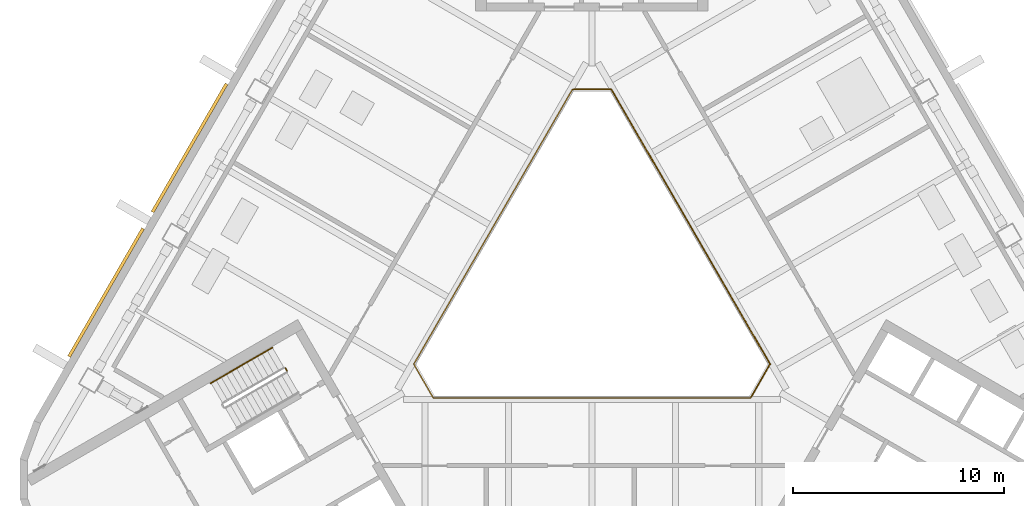
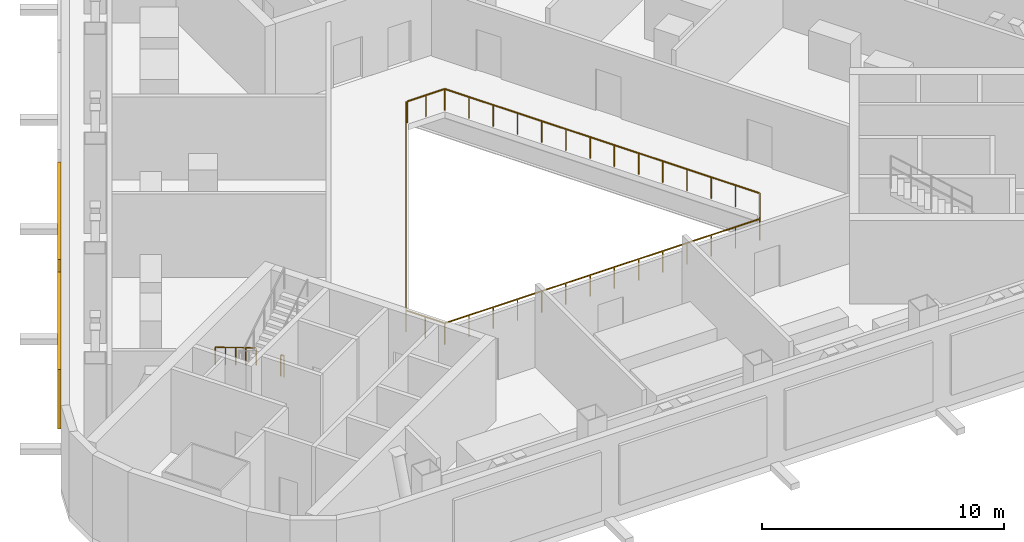
# One storey, part 12 of 15: 4 railings, 2 shading devices.
"""IFC4 building model written with IfcOpenShell, lengths in metres."""

from ifc_helpers import new_model, si_unit, direction, frame, origin, origin_2d, place, context, subcontext, project, spatial, rectangle, circle, extrude, material, type_object, element, save


model = new_model("IFC4")

# Units and contexts
model_context = context("Model", 3, precision=1e-05, world=origin(), true_north=direction((0.0, 1.0)))
body_context = subcontext(model_context, "Body", "Model", "MODEL_VIEW")
ifc_project = project(units=[si_unit("LENGTHUNIT", "METRE"), si_unit("AREAUNIT", "SQUARE_METRE"), si_unit("VOLUMEUNIT", "CUBIC_METRE"), si_unit("PLANEANGLEUNIT", "RADIAN"), si_unit("MASSUNIT", "GRAM", prefix="KILO")], contexts=[model_context])

# Site, building, storey
site_placement = place(None, origin())
site = spatial("IfcSite", under=ifc_project, at=site_placement, CompositionType="ELEMENT")
building_placement = place(site_placement, origin())
building = spatial("IfcBuilding", under=site, at=building_placement, Name="Apuvela Tower Hotel", CompositionType="ELEMENT")
storey_placement = place(building_placement, frame((0.0, 0.0, 137.60009765625)))
storey = spatial("IfcBuildingStorey", under=building, at=storey_placement, Name="L32 Plant", CompositionType="ELEMENT", Elevation=137.60009765625)

# Railings
ifc_material_1 = material(Name="Steel S275 balustrade", Category="steel")
railing_type_1 = type_object("IfcRailingType", Name="COR-GUARD-1100", PredefinedType="GUARDRAIL", material=ifc_material_1)
railing_1_placement = place(storey_placement, frame((-14.500732421875, -3.984130859375, 0.0)))
element("IfcRailing", 1, at=railing_1_placement, inside=storey, type_object=railing_type_1, Name="L32 Plant ST2 stair guard 4", PredefinedType="GUARDRAIL", context=body_context, shape_type="SweptSolid", body=[
    extrude(rectangle(XDim=0.048095703125, YDim=0.048095703125, at=origin_2d()), frame((0.0, 0.0, 1.076171875), z_axis=(0.499816412211, -0.866131372301, 0.0), x_axis=(0.866131372301, 0.499816412211, 0.0)), (0.0, 0.0, 1.0), 0.14990234375),
    extrude(rectangle(XDim=0.0419921875, YDim=0.0419921875, at=origin_2d()), origin(), (0.0, 0.0, 1.0), 1.052001953125),
    extrude(rectangle(XDim=0.0419921875, YDim=0.0419921875, at=origin_2d()), frame((0.074951171875, -0.1298828125, 0.0)), (0.0, 0.0, 1.0), 1.052001953125),
])
ifc_material_2 = material(Name="Stainless steel 316 handrail", Category="steel")
railing_type_2 = type_object("IfcRailingType", Name="COR-HANDRAIL-900", PredefinedType="HANDRAIL", material=ifc_material_2)
railing_2_placement = place(storey_placement, frame((-15.118896484375, -3.01318359375, 0.173095703125)))
element("IfcRailing", 2, at=railing_2_placement, inside=storey, type_object=railing_type_2, Name="L32 Plant ST2 stair handrail 1", PredefinedType="HANDRAIL", context=body_context, shape_type="SweptSolid", body=[
    extrude(circle(Radius=0.02392578125, at=origin_2d()), frame((0.0, 0.0, 0.8759765625), z_axis=(-0.736667954249, -0.425288379326, 0.525785240943), x_axis=(0.499976138585, -0.866039179741, 0.0)), (0.0, 0.0, 1.0), 3.9501953125),
    extrude(rectangle(XDim=0.0419921875, YDim=0.0419921875, at=origin_2d()), origin(), (0.0, 0.0, 1.0), 0.851806640625),
    extrude(rectangle(XDim=0.0419921875, YDim=0.0419921875, at=origin_2d()), frame((-0.7275390625, -0.419921875, 0.519287109375)), (0.0, 0.0, 1.0), 0.851806640625),
    extrude(rectangle(XDim=0.0419921875, YDim=0.0419921875, at=origin_2d()), frame((-1.455078125, -0.83984375, 1.03857421875)), (0.0, 0.0, 1.0), 0.851806640625),
    extrude(rectangle(XDim=0.0419921875, YDim=0.0419921875, at=origin_2d()), frame((-2.182373046875, -1.260009765625, 1.5576171875)), (0.0, 0.0, 1.0), 0.851806640625),
    extrude(rectangle(XDim=0.0419921875, YDim=0.0419921875, at=origin_2d()), frame((-2.909912109375, -1.679931640625, 2.076904296875)), (0.0, 0.0, 1.0), 0.851806640625),
])
ifc_material_3 = material(Name="Stainless steel 316 rail with laminated glass infill", Category="steel")
railing_type_3 = type_object("IfcRailingType", Name="ENV-GUARD-1100", PredefinedType="GUARDRAIL", material=ifc_material_3)
railing_3_placement = place(storey_placement, frame((-0.923828125, 9.199951171875, 0.0)))
element("IfcRailing", 3, at=railing_3_placement, inside=storey, type_object=railing_type_3, Name="Atrium void guard A L32 Plant", PredefinedType="GUARDRAIL", context=body_context, shape_type="SweptSolid", body=[
    extrude(rectangle(XDim=0.050048828125, YDim=0.050048828125, at=origin_2d()), frame((0.0, 0.0, 1.0751953125), z_axis=(-0.499990886379, -0.866030665472, 0.0), x_axis=(0.866030665472, -0.499990886379, 0.0)), (0.0, 0.0, 1.0), 15.010986328125),
    extrude(rectangle(XDim=0.050048828125, YDim=0.050048828125, at=origin_2d()), frame((-7.50537109375, -13.0, 1.0751953125), z_axis=(0.499962699187, -0.866046938348, 0.0), x_axis=(0.866046938348, 0.499962699187, 0.0)), (0.0, 0.0, 1.0), 1.847412109375),
    extrude(rectangle(XDim=0.050048828125, YDim=0.050048828125, at=origin_2d()), frame((-6.581787109375, -14.599853515625, 1.0751953125), z_axis=(1.0, 0.0, 0.0), x_axis=(0.0, 1.0, 0.0)), (0.0, 0.0, 1.0), 15.01123046875),
    extrude(rectangle(XDim=0.0400390625, YDim=0.0400390625, at=origin_2d()), origin(), (0.0, 0.0, 1.0), 1.050048828125),
    extrude(rectangle(XDim=0.0400390625, YDim=0.0400390625, at=origin_2d()), frame((-0.577392578125, -1.0, 0.0)), (0.0, 0.0, 1.0), 1.050048828125),
    extrude(rectangle(XDim=0.0400390625, YDim=0.0400390625, at=origin_2d()), frame((-1.15478515625, -2.0, 0.0)), (0.0, 0.0, 1.0), 1.050048828125),
    extrude(rectangle(XDim=0.0400390625, YDim=0.0400390625, at=origin_2d()), frame((-1.73193359375, -3.0, 0.0)), (0.0, 0.0, 1.0), 1.050048828125),
    extrude(rectangle(XDim=0.0400390625, YDim=0.0400390625, at=origin_2d()), frame((-2.309326171875, -4.0, 0.0)), (0.0, 0.0, 1.0), 1.050048828125),
    extrude(rectangle(XDim=0.0400390625, YDim=0.0400390625, at=origin_2d()), frame((-2.88671875, -5.0, 0.0)), (0.0, 0.0, 1.0), 1.050048828125),
    extrude(rectangle(XDim=0.0400390625, YDim=0.0400390625, at=origin_2d()), frame((-3.464111328125, -6.0, 0.0)), (0.0, 0.0, 1.0), 1.050048828125),
    extrude(rectangle(XDim=0.0400390625, YDim=0.0400390625, at=origin_2d()), frame((-4.041259765625, -7.0, 0.0)), (0.0, 0.0, 1.0), 1.050048828125),
    extrude(rectangle(XDim=0.0400390625, YDim=0.0400390625, at=origin_2d()), frame((-4.61865234375, -8.0, 0.0)), (0.0, 0.0, 1.0), 1.050048828125),
    extrude(rectangle(XDim=0.0400390625, YDim=0.0400390625, at=origin_2d()), frame((-5.196044921875, -9.0, 0.0)), (0.0, 0.0, 1.0), 1.050048828125),
    extrude(rectangle(XDim=0.0400390625, YDim=0.0400390625, at=origin_2d()), frame((-5.7734375, -10.0, 0.0)), (0.0, 0.0, 1.0), 1.050048828125),
    extrude(rectangle(XDim=0.0400390625, YDim=0.0400390625, at=origin_2d()), frame((-6.3505859375, -11.0, 0.0)), (0.0, 0.0, 1.0), 1.050048828125),
    extrude(rectangle(XDim=0.0400390625, YDim=0.0400390625, at=origin_2d()), frame((-6.927978515625, -12.0, 0.0)), (0.0, 0.0, 1.0), 1.050048828125),
    extrude(rectangle(XDim=0.0400390625, YDim=0.0400390625, at=origin_2d()), frame((-7.50537109375, -13.0, 0.0)), (0.0, 0.0, 1.0), 1.050048828125),
    extrude(rectangle(XDim=0.0400390625, YDim=0.0400390625, at=origin_2d()), frame((-7.04345703125, -13.7998046875, 0.0)), (0.0, 0.0, 1.0), 1.050048828125),
    extrude(rectangle(XDim=0.0400390625, YDim=0.0400390625, at=origin_2d()), frame((-6.581787109375, -14.599853515625, 0.0)), (0.0, 0.0, 1.0), 1.050048828125),
    extrude(rectangle(XDim=0.0400390625, YDim=0.0400390625, at=origin_2d()), frame((-5.427001953125, -14.599853515625, 0.0)), (0.0, 0.0, 1.0), 1.050048828125),
    extrude(rectangle(XDim=0.0400390625, YDim=0.0400390625, at=origin_2d()), frame((-4.2724609375, -14.599853515625, 0.0)), (0.0, 0.0, 1.0), 1.050048828125),
    extrude(rectangle(XDim=0.0400390625, YDim=0.0400390625, at=origin_2d()), frame((-3.11767578125, -14.599853515625, 0.0)), (0.0, 0.0, 1.0), 1.050048828125),
    extrude(rectangle(XDim=0.0400390625, YDim=0.0400390625, at=origin_2d()), frame((-1.962890625, -14.599853515625, 0.0)), (0.0, 0.0, 1.0), 1.050048828125),
    extrude(rectangle(XDim=0.0400390625, YDim=0.0400390625, at=origin_2d()), frame((-0.808349609375, -14.599853515625, 0.0)), (0.0, 0.0, 1.0), 1.050048828125),
    extrude(rectangle(XDim=0.0400390625, YDim=0.0400390625, at=origin_2d()), frame((0.346435546875, -14.599853515625, 0.0)), (0.0, 0.0, 1.0), 1.050048828125),
    extrude(rectangle(XDim=0.0400390625, YDim=0.0400390625, at=origin_2d()), frame((1.501220703125, -14.599853515625, 0.0)), (0.0, 0.0, 1.0), 1.050048828125),
    extrude(rectangle(XDim=0.0400390625, YDim=0.0400390625, at=origin_2d()), frame((2.656005859375, -14.599853515625, 0.0)), (0.0, 0.0, 1.0), 1.050048828125),
    extrude(rectangle(XDim=0.0400390625, YDim=0.0400390625, at=origin_2d()), frame((3.810546875, -14.599853515625, 0.0)), (0.0, 0.0, 1.0), 1.050048828125),
    extrude(rectangle(XDim=0.0400390625, YDim=0.0400390625, at=origin_2d()), frame((4.96533203125, -14.599853515625, 0.0)), (0.0, 0.0, 1.0), 1.050048828125),
    extrude(rectangle(XDim=0.0400390625, YDim=0.0400390625, at=origin_2d()), frame((6.1201171875, -14.599853515625, 0.0)), (0.0, 0.0, 1.0), 1.050048828125),
    extrude(rectangle(XDim=0.0400390625, YDim=0.0400390625, at=origin_2d()), frame((7.274658203125, -14.599853515625, 0.0)), (0.0, 0.0, 1.0), 1.050048828125),
    extrude(rectangle(XDim=0.0400390625, YDim=0.0400390625, at=origin_2d()), frame((8.429443359375, -14.599853515625, 0.0)), (0.0, 0.0, 1.0), 1.050048828125),
])
railing_4_placement = place(storey_placement, frame((7.53564453125, -5.347900390625, 0.0)))
element("IfcRailing", 4, at=railing_4_placement, inside=storey, type_object=railing_type_3, Name="Atrium void guard B L32 Plant", PredefinedType="GUARDRAIL", context=body_context, shape_type="SweptSolid", body=[
    extrude(rectangle(XDim=0.050048828125, YDim=0.050048828125, at=origin_2d()), frame((0.0, 0.0, 1.0751953125), z_axis=(0.499958946799, 0.866049104564, 0.0), x_axis=(-0.866049104564, 0.499958946799, 0.0)), (0.0, 0.0, 1.0), 1.787353515625),
    extrude(rectangle(XDim=0.050048828125, YDim=0.050048828125, at=origin_2d()), frame((0.8935546875, 1.5478515625, 1.0751953125), z_axis=(-0.499990886379, 0.866030665472, 0.0), x_axis=(-0.866030665472, -0.499990886379, 0.0)), (0.0, 0.0, 1.0), 15.010986328125),
    extrude(rectangle(XDim=0.050048828125, YDim=0.050048828125, at=origin_2d()), frame((-6.61181640625, 14.5478515625, 1.0751953125), z_axis=(-1.0, 0.0, 0.0), x_axis=(0.0, -1.0, 0.0)), (0.0, 0.0, 1.0), 1.78759765625),
    extrude(rectangle(XDim=0.0400390625, YDim=0.0400390625, at=origin_2d()), origin(), (0.0, 0.0, 1.0), 1.050048828125),
    extrude(rectangle(XDim=0.0400390625, YDim=0.0400390625, at=origin_2d()), frame((0.44677734375, 0.77392578125, 0.0)), (0.0, 0.0, 1.0), 1.050048828125),
    extrude(rectangle(XDim=0.0400390625, YDim=0.0400390625, at=origin_2d()), frame((0.8935546875, 1.5478515625, 0.0)), (0.0, 0.0, 1.0), 1.050048828125),
    extrude(rectangle(XDim=0.0400390625, YDim=0.0400390625, at=origin_2d()), frame((0.316162109375, 2.5478515625, 0.0)), (0.0, 0.0, 1.0), 1.050048828125),
    extrude(rectangle(XDim=0.0400390625, YDim=0.0400390625, at=origin_2d()), frame((-0.26123046875, 3.5478515625, 0.0)), (0.0, 0.0, 1.0), 1.050048828125),
    extrude(rectangle(XDim=0.0400390625, YDim=0.0400390625, at=origin_2d()), frame((-0.83837890625, 4.5478515625, 0.0)), (0.0, 0.0, 1.0), 1.050048828125),
    extrude(rectangle(XDim=0.0400390625, YDim=0.0400390625, at=origin_2d()), frame((-1.415771484375, 5.5478515625, 0.0)), (0.0, 0.0, 1.0), 1.050048828125),
    extrude(rectangle(XDim=0.0400390625, YDim=0.0400390625, at=origin_2d()), frame((-1.9931640625, 6.5478515625, 0.0)), (0.0, 0.0, 1.0), 1.050048828125),
    extrude(rectangle(XDim=0.0400390625, YDim=0.0400390625, at=origin_2d()), frame((-2.570556640625, 7.5478515625, 0.0)), (0.0, 0.0, 1.0), 1.050048828125),
    extrude(rectangle(XDim=0.0400390625, YDim=0.0400390625, at=origin_2d()), frame((-3.147705078125, 8.5478515625, 0.0)), (0.0, 0.0, 1.0), 1.050048828125),
    extrude(rectangle(XDim=0.0400390625, YDim=0.0400390625, at=origin_2d()), frame((-3.72509765625, 9.5478515625, 0.0)), (0.0, 0.0, 1.0), 1.050048828125),
    extrude(rectangle(XDim=0.0400390625, YDim=0.0400390625, at=origin_2d()), frame((-4.302490234375, 10.5478515625, 0.0)), (0.0, 0.0, 1.0), 1.050048828125),
    extrude(rectangle(XDim=0.0400390625, YDim=0.0400390625, at=origin_2d()), frame((-4.8798828125, 11.5478515625, 0.0)), (0.0, 0.0, 1.0), 1.050048828125),
    extrude(rectangle(XDim=0.0400390625, YDim=0.0400390625, at=origin_2d()), frame((-5.45703125, 12.5478515625, 0.0)), (0.0, 0.0, 1.0), 1.050048828125),
    extrude(rectangle(XDim=0.0400390625, YDim=0.0400390625, at=origin_2d()), frame((-6.034423828125, 13.5478515625, 0.0)), (0.0, 0.0, 1.0), 1.050048828125),
    extrude(rectangle(XDim=0.0400390625, YDim=0.0400390625, at=origin_2d()), frame((-6.61181640625, 14.5478515625, 0.0)), (0.0, 0.0, 1.0), 1.050048828125),
    extrude(rectangle(XDim=0.0400390625, YDim=0.0400390625, at=origin_2d()), frame((-7.505615234375, 14.5478515625, 0.0)), (0.0, 0.0, 1.0), 1.050048828125),
    extrude(rectangle(XDim=0.0400390625, YDim=0.0400390625, at=origin_2d()), frame((-8.3994140625, 14.5478515625, 0.0)), (0.0, 0.0, 1.0), 1.050048828125),
])

# Shading devices
ifc_material_4 = material(Name="Aluminium 6063-T6, black anodised louvre blades", Category="aluminium")
shading_device_type = type_object("IfcShadingDeviceType", Name="ENV-LOUVRE-SCREEN", PredefinedType="USERDEFINED", material=ifc_material_4)
for number, where, z_axis, x_axis, name in (
    (5, (-19.0400390625, 6.431640625, 0.599853515625), (0.0, 0.0, 1.0), (-0.5, -0.866025403784, 0.0), "Plant louvre NW11"),
    (6, (-22.989990234375, -0.409912109375, 0.599853515625), (0.0, 0.0, 1.0), (-0.5, -0.866025403784, 0.0), "Plant louvre NW12"),
):
    element("IfcShadingDevice", number, at=place(storey_placement, frame(where, z_axis=z_axis, x_axis=x_axis)), inside=storey, type_object=shading_device_type, Name=name, ObjectType="LOUVRE", PredefinedType="USERDEFINED", context=body_context, shape_type="SweptSolid", body=[
        extrude(rectangle(XDim=7.0, YDim=0.14990234375, at=origin_2d()), origin(), (0.0, 0.0, 1.0), 3.0),
    ])

save(model, "model.ifc")
